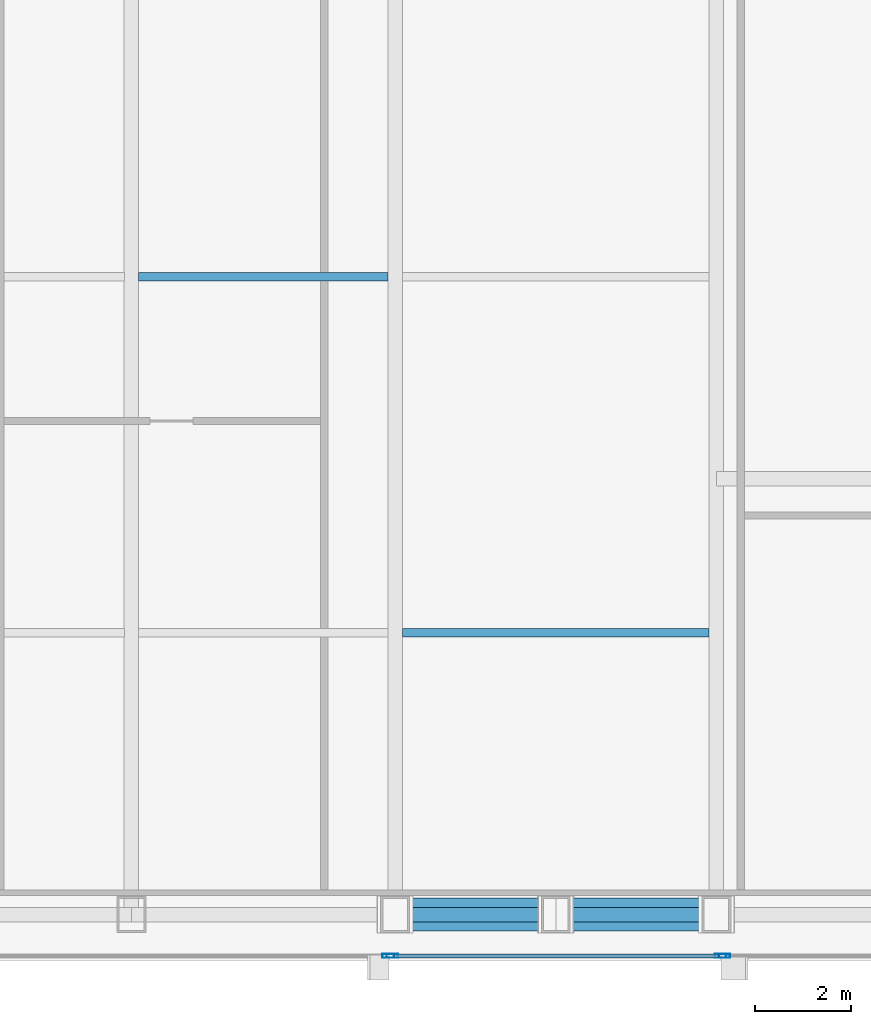
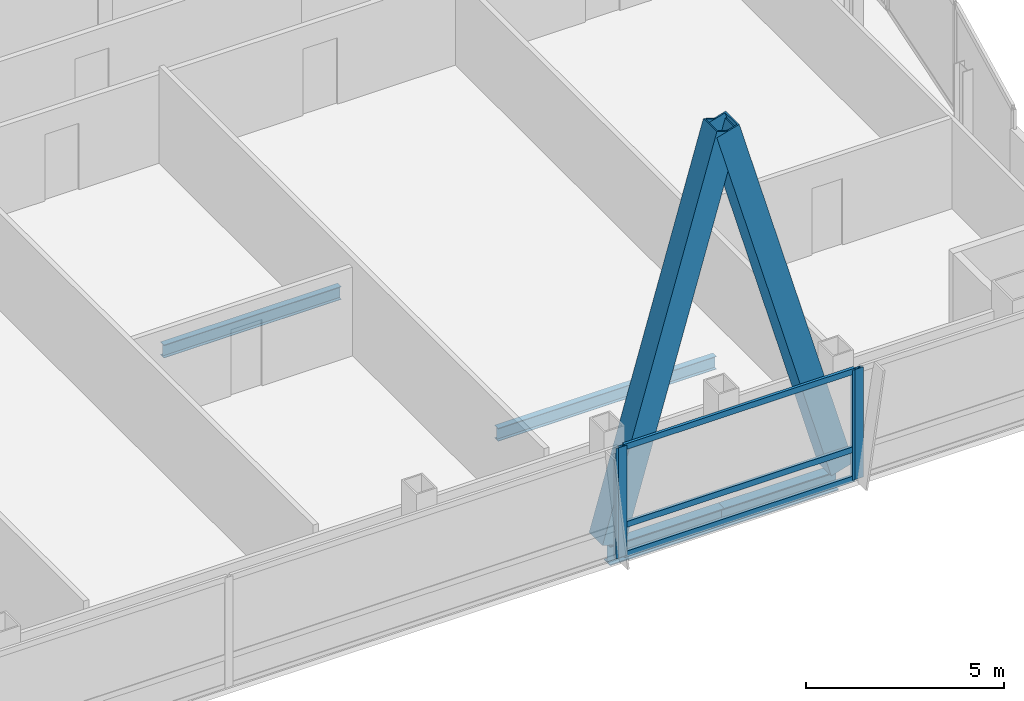
# One storey, part 14 of 31: 9 members, 4 beams, 3 elements without a shape of their own.
"""IFC4 building model written with IfcOpenShell, lengths in metres."""

from ifc_helpers import new_model, si_unit, direction, frame, origin, origin_2d, place, context, subcontext, project, spatial, hollow_rectangle, i_section, extrude, material, material_profile, profile_set, type_object, element, aggregate, save


model = new_model("IFC4")

# Units and contexts
model_context = context("Model", 3, precision=1e-05, world=origin(), true_north=direction((0.0, 1.0)))
body_context = subcontext(model_context, "Body", "Model", "MODEL_VIEW")
ifc_project = project(units=[si_unit("LENGTHUNIT", "METRE"), si_unit("AREAUNIT", "SQUARE_METRE"), si_unit("VOLUMEUNIT", "CUBIC_METRE"), si_unit("PLANEANGLEUNIT", "RADIAN"), si_unit("MASSUNIT", "GRAM", prefix="KILO")], contexts=[model_context])

# Site, building, storey
site_placement = place(None, origin())
site = spatial("IfcSite", under=ifc_project, at=site_placement, CompositionType="ELEMENT")
building_placement = place(site_placement, origin())
building = spatial("IfcBuilding", under=site, at=building_placement, Name="Khoronbel Lancet Exchange", CompositionType="ELEMENT")
storey_placement = place(building_placement, frame((0.0, 0.0, 261.800048828125)))
storey = spatial("IfcBuildingStorey", under=building, at=storey_placement, Name="L67", CompositionType="ELEMENT", Elevation=261.800048828125)

# Beams
ifc_material_1 = material(Name="Steel S355", Category="steel")
ifc_material_profile_1 = material_profile(ifc_material_1, i_section(OverallWidth=0.179931640625, OverallDepth=0.39990234375, WebThickness=0.008544921875, FlangeThickness=0.013427734375, at=origin_2d()), Name="IPE 400")
ifc_profile_set_1 = profile_set([ifc_material_profile_1], Name="Steel S355")
beam_type_1 = type_object("IfcBeamType", Name="BM-BJ5", PredefinedType="JOIST", material=ifc_profile_set_1)
beam_1_placement = place(storey_placement, frame((48.14990234375, 16.0, -0.360107421875), z_axis=(1.0, 0.0, 0.0), x_axis=(0.0, 1.0, 0.0)))
element("IfcBeam", 1, at=beam_1_placement, inside=storey, type_object=beam_type_1, Name="Level L67 secondary composite joist J05", PredefinedType="JOIST", context=body_context, shape_type="SweptSolid", body=[
    extrude(i_section(OverallWidth=0.179931640625, OverallDepth=0.39990234375, WebThickness=0.008544921875, FlangeThickness=0.013427734375, at=origin_2d()), origin(), (0.0, 0.0, 1.0), 6.375),
])
beam_2_placement = place(storey_placement, frame((42.675048828125, 23.39990234375, -0.360107421875), z_axis=(1.0, 0.0, 0.0), x_axis=(0.0, 1.0, 0.0)))
element("IfcBeam", 2, at=beam_2_placement, inside=storey, type_object=beam_type_1, Name="Level L67 secondary composite joist J09", PredefinedType="JOIST", context=body_context, shape_type="SweptSolid", body=[
    extrude(i_section(OverallWidth=0.179931640625, OverallDepth=0.39990234375, WebThickness=0.008544921875, FlangeThickness=0.013427734375, at=origin_2d()), origin(), (0.0, 0.0, 1.0), 5.175048828125),
])
ifc_material_profile_2 = material_profile(ifc_material_1, i_section(OverallWidth=0.300048828125, OverallDepth=0.60009765625, WebThickness=0.015380859375, FlangeThickness=0.030029296875, at=origin_2d()), Name="HEB 600")
ifc_profile_set_2 = profile_set([ifc_material_profile_2], Name="Steel S355")
beam_type_2 = type_object("IfcBeamType", Name="BM-BSP2", PredefinedType="SPANDREL", material=ifc_profile_set_2)
beam_3_placement = place(storey_placement, frame((48.0, 10.14990234375, -0.4599609375), z_axis=(1.0, 0.0, 0.0), x_axis=(0.0, 1.0, 0.0)))
element("IfcBeam", 3, at=beam_3_placement, inside=storey, type_object=beam_type_2, Name="Level L67 perimeter spandrel beam SP07", PredefinedType="SPANDREL", context=body_context, shape_type="SweptSolid", body=[
    extrude(i_section(OverallWidth=0.300048828125, OverallDepth=0.60009765625, WebThickness=0.015380859375, FlangeThickness=0.030029296875, at=origin_2d()), origin(), (0.0, 0.0, 1.0), 3.33740234375),
])
beam_4_placement = place(storey_placement, frame((51.33740234375, 10.14990234375, -0.4599609375), z_axis=(1.0, 0.0, 0.0), x_axis=(0.0, 1.0, 0.0)))
element("IfcBeam", 4, at=beam_4_placement, inside=storey, type_object=beam_type_2, Name="Level L67 perimeter spandrel beam SP08", PredefinedType="SPANDREL", context=body_context, shape_type="SweptSolid", body=[
    extrude(i_section(OverallWidth=0.300048828125, OverallDepth=0.60009765625, WebThickness=0.015380859375, FlangeThickness=0.030029296875, at=origin_2d()), origin(), (0.0, 0.0, 1.0), 3.337646484375),
])

# Curtain wall, member
ifc_material_2 = material(Name="Low-E Solar Control Insulating Glass", Category="glass")
curtain_wall_type = type_object("IfcCurtainWallType", Name="CW-3", PredefinedType="NOTDEFINED", material=ifc_material_2)
curtain_wall_1_placement = place(storey_placement, origin())
curtain_wall_1 = element("IfcCurtainWall", 5, at=curtain_wall_1_placement, inside=storey, type_object=curtain_wall_type, Name="Unitised curtain wall CW-L67-SCV", PredefinedType="NOTDEFINED")
ifc_material_3 = material(Name="Bronze-Anodised Aluminium 6063-T6", Category="aluminium")
ifc_material_profile_3 = material_profile(ifc_material_3, hollow_rectangle(XDim=0.0849609375, YDim=0.239990234375, WallThickness=0.006103515625, at=origin_2d()), Name="ALU MULLION 85x240")
ifc_profile_set_3 = profile_set([ifc_material_profile_3], Name="Bronze-Anodised Aluminium 6063-T6")
member_type_1 = type_object("IfcMemberType", Name="MEM-CWM1", PredefinedType="MULLION", material=ifc_profile_set_3)
member_1_placement = place(storey_placement, frame((47.857421875, 9.2900390625, 0.0), z_axis=(0.0, 0.0, 1.0), x_axis=(0.0, 1.0, 0.0)))
member_1 = element("IfcMember", 6, at=member_1_placement, type_object=member_type_1, Name="CW3 mullion 3", PredefinedType="MULLION", context=body_context, shape_type="SweptSolid", body=[
    extrude(hollow_rectangle(XDim=0.0849609375, YDim=0.239990234375, WallThickness=0.006103515625, at=origin_2d()), origin(), (0.0, 0.0, 1.0), 3.39990234375),
])
aggregate(curtain_wall_1, [member_1])

# Curtain wall, members
curtain_wall_2_placement = place(storey_placement, origin())
curtain_wall_2 = element("IfcCurtainWall", 7, at=curtain_wall_2_placement, inside=storey, type_object=curtain_wall_type, Name="Unitised curtain wall CW-L67-SEB", PredefinedType="NOTDEFINED")
member_2_placement = place(storey_placement, frame((47.9423828125, 9.2900390625, 0.0), z_axis=(0.0, 0.0, 1.0), x_axis=(0.0, 1.0, 0.0)))
member_2 = element("IfcMember", 8, at=member_2_placement, type_object=member_type_1, Name="CW3 mullion 1", PredefinedType="MULLION", context=body_context, shape_type="SweptSolid", body=[
    extrude(hollow_rectangle(XDim=0.0849609375, YDim=0.239990234375, WallThickness=0.006103515625, at=origin_2d()), origin(), (0.0, 0.0, 1.0), 3.39990234375),
])
member_3_placement = place(storey_placement, frame((54.757568359375, 9.2900390625, 0.0), z_axis=(0.0, 0.0, 1.0), x_axis=(0.0, 1.0, 0.0)))
member_3 = element("IfcMember", 9, at=member_3_placement, type_object=member_type_1, Name="CW3 mullion 2", PredefinedType="MULLION", context=body_context, shape_type="SweptSolid", body=[
    extrude(hollow_rectangle(XDim=0.0849609375, YDim=0.239990234375, WallThickness=0.006103515625, at=origin_2d()), origin(), (0.0, 0.0, 1.0), 3.39990234375),
])

# Curtain wall, member
curtain_wall_3_placement = place(storey_placement, origin())
curtain_wall_3 = element("IfcCurtainWall", 10, at=curtain_wall_3_placement, inside=storey, type_object=curtain_wall_type, Name="Unitised curtain wall CW-L67-SEV", PredefinedType="NOTDEFINED")
member_4_placement = place(storey_placement, frame((54.842529296875, 9.2900390625, 0.0), z_axis=(0.0, 0.0, 1.0), x_axis=(0.0, 1.0, 0.0)))
member_4 = element("IfcMember", 11, at=member_4_placement, type_object=member_type_1, Name="CW3 mullion 1", PredefinedType="MULLION", context=body_context, shape_type="SweptSolid", body=[
    extrude(hollow_rectangle(XDim=0.0849609375, YDim=0.239990234375, WallThickness=0.006103515625, at=origin_2d()), origin(), (0.0, 0.0, 1.0), 3.39990234375),
])
aggregate(curtain_wall_3, [member_4])

# Member
ifc_material_profile_4 = material_profile(ifc_material_3, hollow_rectangle(XDim=0.0849609375, YDim=0.179931640625, WallThickness=0.0048828125, at=origin_2d()), Name="ALU TRANSOM 85x180")
ifc_profile_set_4 = profile_set([ifc_material_profile_4], Name="Bronze-Anodised Aluminium 6063-T6")
member_type_2 = type_object("IfcMemberType", Name="MEM-CWT1", PredefinedType="USERDEFINED", material=ifc_profile_set_4)
member_5_placement = place(storey_placement, frame((47.985107421875, 9.2900390625, 0.04248046875), z_axis=(1.0, 0.0, 0.0), x_axis=(0.0, 1.0, 0.0)))
member_5 = element("IfcMember", 12, at=member_5_placement, type_object=member_type_2, Name="CW3 transom 1.1", ObjectType="TRANSOM", PredefinedType="USERDEFINED", context=body_context, shape_type="SweptSolid", body=[
    extrude(hollow_rectangle(XDim=0.0849609375, YDim=0.179931640625, WallThickness=0.0048828125, at=origin_2d()), origin(), (0.0, 0.0, 1.0), 6.72998046875),
])

member_6_placement = place(storey_placement, frame((47.985107421875, 9.2900390625, 0.949951171875), z_axis=(1.0, 0.0, 0.0), x_axis=(0.0, 1.0, 0.0)))
member_6 = element("IfcMember", 13, at=member_6_placement, type_object=member_type_2, Name="CW3 transom 1.2", ObjectType="TRANSOM", PredefinedType="USERDEFINED", context=body_context, shape_type="SweptSolid", body=[
    extrude(hollow_rectangle(XDim=0.0849609375, YDim=0.179931640625, WallThickness=0.0048828125, at=origin_2d()), origin(), (0.0, 0.0, 1.0), 6.72998046875),
])

member_7_placement = place(storey_placement, frame((47.985107421875, 9.2900390625, 3.357421875), z_axis=(1.0, 0.0, 0.0), x_axis=(0.0, 1.0, 0.0)))
member_7 = element("IfcMember", 14, at=member_7_placement, type_object=member_type_2, Name="CW3 transom 1.3", ObjectType="TRANSOM", PredefinedType="USERDEFINED", context=body_context, shape_type="SweptSolid", body=[
    extrude(hollow_rectangle(XDim=0.0849609375, YDim=0.179931640625, WallThickness=0.0048828125, at=origin_2d()), origin(), (0.0, 0.0, 1.0), 6.72998046875),
])

aggregate(curtain_wall_2, [member_2, member_3, member_5, member_6, member_7])

# Members
ifc_material_4 = material(Name="Steel S460", Category="steel")
ifc_material_profile_5 = material_profile(ifc_material_4, hollow_rectangle(XDim=0.679931640625, YDim=0.679931640625, WallThickness=0.044921875, at=origin_2d()), Name="BOX 680x680x45")
ifc_profile_set_5 = profile_set([ifc_material_profile_5], Name="Steel S460")
member_type_3 = type_object("IfcMemberType", Name="MEM-MB3", PredefinedType="BRACE", material=ifc_profile_set_5)
member_8_placement = place(storey_placement, frame((48.0, 10.14990234375, 0.0), z_axis=(0.276494474889, 0.0, 0.961015507344), x_axis=(0.0, 1.0, 0.0)))
element("IfcMember", 15, at=member_8_placement, inside=storey, type_object=member_type_3, Name="Perimeter lancet brace tier 23 S-E-L", PredefinedType="BRACE", context=body_context, shape_type="SweptSolid", body=[
    extrude(hollow_rectangle(XDim=0.679931640625, YDim=0.679931640625, WallThickness=0.044921875, at=origin_2d()), origin(), (0.0, 0.0, 1.0), 12.0703125),
])
member_9_placement = place(storey_placement, frame((54.675048828125, 10.14990234375, 0.0), z_axis=(-0.276513154812, 0.0, 0.961010132733), x_axis=(0.0, -1.0, 0.0)))
element("IfcMember", 16, at=member_9_placement, inside=storey, type_object=member_type_3, Name="Perimeter lancet brace tier 23 S-E-R", PredefinedType="BRACE", context=body_context, shape_type="SweptSolid", body=[
    extrude(hollow_rectangle(XDim=0.679931640625, YDim=0.679931640625, WallThickness=0.044921875, at=origin_2d()), origin(), (0.0, 0.0, 1.0), 12.070556640625),
])

save(model, "model.ifc")
